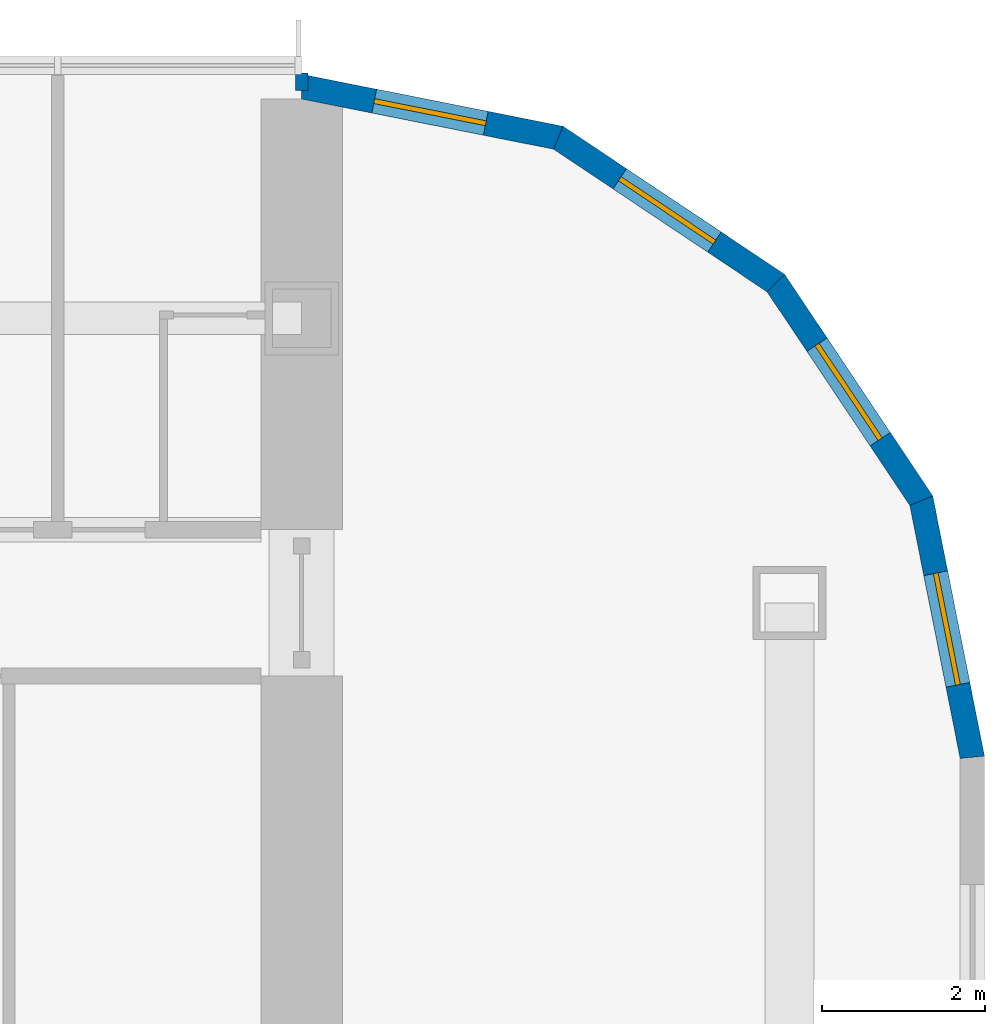
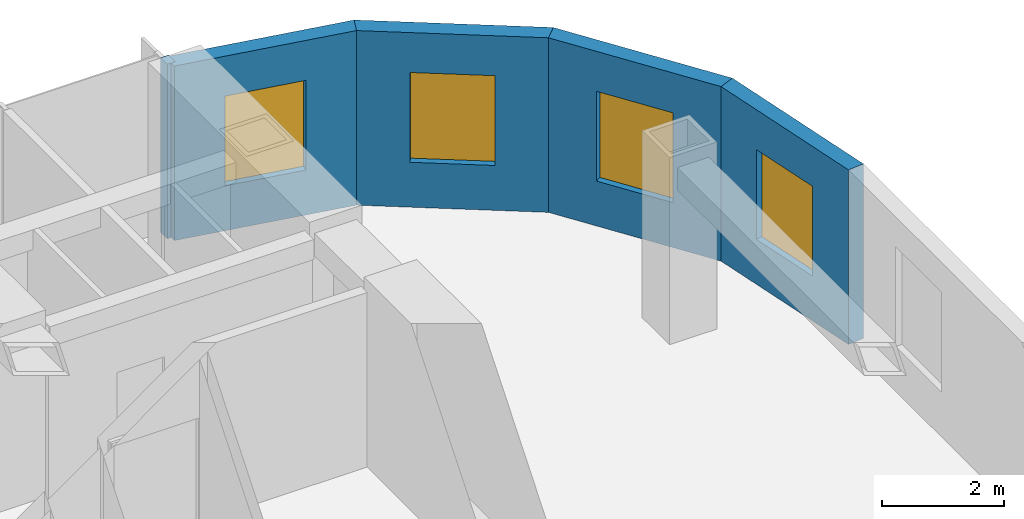
# One storey, part 18 of 23: 5 walls, 4 windows, 4 openings.
"""IFC4 building model written with IfcOpenShell, lengths in metres."""

from ifc_helpers import new_model, si_unit, direction, frame, frame_2d, origin, place, context, subcontext, project, spatial, polyline, rectangle, outline, extrude, material, layer, layer_set, type_object, element, fill, save


model = new_model("IFC4")

# Units and contexts
model_context = context("Model", 3, precision=1e-05, world=origin(), true_north=direction((0.0, 1.0)))
body_context = subcontext(model_context, "Body", "Model", "MODEL_VIEW")
ifc_project = project(units=[si_unit("LENGTHUNIT", "METRE"), si_unit("AREAUNIT", "SQUARE_METRE"), si_unit("VOLUMEUNIT", "CUBIC_METRE"), si_unit("PLANEANGLEUNIT", "RADIAN"), si_unit("MASSUNIT", "GRAM", prefix="KILO")], contexts=[model_context])

# Site, building, storey
site_placement = place(None, origin())
site = spatial("IfcSite", under=ifc_project, at=site_placement, CompositionType="ELEMENT")
building_placement = place(site_placement, origin())
building = spatial("IfcBuilding", under=site, at=building_placement, Name="Orbita Commons", CompositionType="ELEMENT")
storey_placement = place(building_placement, frame((0.0, 0.0, 61.449951171875)))
storey = spatial("IfcBuildingStorey", under=building, at=storey_placement, Name="L15", CompositionType="ELEMENT", Elevation=61.449951171875)

# Wall
ifc_material_1 = material(Name="Gypsum plasterboard on steel studs", Category="steel")
ifc_layer_1 = layer(ifc_material_1, 0.14990234375)
ifc_layer_set_1 = layer_set([ifc_layer_1], Name="Gypsum plasterboard on steel studs")
wall_type_1 = type_object("IfcWallType", Name="Partition 150 plasterboard", PredefinedType="PARTITIONING", material=ifc_layer_set_1)
wall_1_placement = place(storey_placement, frame((72.0, 56.39990234375, 0.0), z_axis=(0.0, 0.0, 1.0), x_axis=(0.0, 1.0, 0.0)))
element("IfcWall", 1, at=wall_1_placement, inside=storey, type_object=wall_type_1, Name="Partition 150 plasterboard L15", PredefinedType="PARTITIONING", context=body_context, shape_type="SweptSolid", body=[
    extrude(rectangle(XDim=0.22021484375, YDim=0.14990234375, at=frame_2d((0.110107421875, 0.0))), origin(), (0.0, 0.0, 1.0), 3.5),
])

# Wall, opening, window
ifc_material_2 = material(Name="Precast concrete C40/50, white board-marked finish", Category="concrete")
ifc_layer_2 = layer(ifc_material_2, 0.300048828125)
ifc_layer_set_2 = layer_set([ifc_layer_2], Name="Precast concrete C40/50, white board-marked finish")
wall_type_2 = type_object("IfcWallType", Name="Precast concrete end shield 300", PredefinedType="SOLIDWALL", material=ifc_layer_set_2)
wall_2_placement = place(storey_placement, frame((80.25, 48.199951171875, 0.0), z_axis=(0.0, 0.0, 1.0), x_axis=(-0.195065901187, 0.980790137692, 0.0)))
wall_2 = element("IfcWall", 2, at=wall_2_placement, inside=storey, type_object=wall_type_2, Name="End shield NE chord 1 L15", PredefinedType="SOLIDWALL", context=body_context, shape_type="SweptSolid", body=[
    extrude(outline(polyline([(-0.014892578125, -0.14990234375), (3.248779296875, -0.14990234375), (3.189208984375, 0.14990234375), (0.014892578125, 0.14990234375), (-0.014892578125, -0.14990234375)])), origin(), (0.0, 0.0, 1.0), 3.5),
])
opening_1_placement = place(wall_2_placement, frame((0.909423828125, 0.0, 0.89990234375)))
opening_1 = element("IfcOpeningElement", 3, at=opening_1_placement, cuts=wall_2, Name="Opening W02", PredefinedType="OPENING", context=body_context, shape_type="SweptSolid", body=[
    extrude(rectangle(XDim=1.39990234375, YDim=1.800048828125, at=frame_2d((0.699951171875, 0.89990234375))), frame((0.0, 0.159912109375, 0.0), z_axis=(0.0, -1.0, 0.0), x_axis=(1.0, 0.0, 0.0)), (0.0, 0.0, 1.0), 0.320068359375),
])
ifc_material_3 = material(Name="Aluminium frame, clear double glazing", Category="aluminium")
window_type = type_object("IfcWindowType", Name="Deep-set window 1400x1800", PartitioningType="SINGLE_PANEL", PredefinedType="WINDOW", material=ifc_material_3)
window_1_placement = place(opening_1_placement, origin())
window_1 = element("IfcWindow", 4, at=window_1_placement, inside=storey, type_object=window_type, Name="Window L15-NE0", OverallHeight=1.800048828125, OverallWidth=1.39990234375, PartitioningType="SINGLE_PANEL", PredefinedType="WINDOW", context=body_context, shape_type="SweptSolid", body=[
    extrude(rectangle(XDim=1.39990234375, YDim=1.800048828125, at=frame_2d((0.699951171875, 0.89990234375))), frame((0.0, 0.030029296875, 0.0), z_axis=(0.0, -1.0, 0.0), x_axis=(1.0, 0.0, 0.0)), (0.0, 0.0, 1.0), 0.06005859375),
])
fill(opening_1, window_1)

wall_3_placement = place(storey_placement, frame((79.6220703125, 51.357177734375, 0.0), z_axis=(0.0, 0.0, 1.0), x_axis=(-0.555609954424, 0.831443069936, 0.0)))
wall_3 = element("IfcWall", 5, at=wall_3_placement, inside=storey, type_object=wall_type_2, Name="End shield NE chord 2 L15", PredefinedType="SOLIDWALL", context=body_context, shape_type="SweptSolid", body=[
    extrude(outline(polyline([(-0.02978515625, -0.14990234375), (3.2490234375, -0.14990234375), (3.189453125, 0.14990234375), (0.02978515625, 0.14990234375), (-0.02978515625, -0.14990234375)])), origin(), (0.0, 0.0, 1.0), 3.5),
])
opening_2_placement = place(wall_3_placement, frame((0.909423828125, 0.0, 0.89990234375)))
opening_2 = element("IfcOpeningElement", 6, at=opening_2_placement, cuts=wall_3, Name="Opening W02", PredefinedType="OPENING", context=body_context, shape_type="SweptSolid", body=[
    extrude(rectangle(XDim=1.39990234375, YDim=1.800048828125, at=frame_2d((0.699951171875, 0.89990234375))), frame((0.0, 0.159912109375, 0.0), z_axis=(0.0, -1.0, 0.0), x_axis=(1.0, 0.0, 0.0)), (0.0, 0.0, 1.0), 0.320068359375),
])
window_2_placement = place(opening_2_placement, origin())
window_2 = element("IfcWindow", 7, at=window_2_placement, inside=storey, type_object=window_type, Name="Window L15-NE1", OverallHeight=1.800048828125, OverallWidth=1.39990234375, PartitioningType="SINGLE_PANEL", PredefinedType="WINDOW", context=body_context, shape_type="SweptSolid", body=[
    extrude(rectangle(XDim=1.39990234375, YDim=1.800048828125, at=frame_2d((0.699951171875, 0.89990234375))), frame((0.0, 0.030029296875, 0.0), z_axis=(0.0, -1.0, 0.0), x_axis=(1.0, 0.0, 0.0)), (0.0, 0.0, 1.0), 0.06005859375),
])
fill(opening_2, window_2)

wall_4_placement = place(storey_placement, frame((77.83349609375, 54.03369140625, 0.0), z_axis=(0.0, 0.0, 1.0), x_axis=(-0.831478105043, 0.555557522525, 0.0)))
wall_4 = element("IfcWall", 8, at=wall_4_placement, inside=storey, type_object=wall_type_2, Name="End shield NE chord 3 L15", PredefinedType="SOLIDWALL", context=body_context, shape_type="SweptSolid", body=[
    extrude(outline(polyline([(-0.02978515625, -0.14990234375), (3.248779296875, -0.14990234375), (3.189208984375, 0.14990234375), (0.02978515625, 0.14990234375), (-0.02978515625, -0.14990234375)])), origin(), (0.0, 0.0, 1.0), 3.5),
])
opening_3_placement = place(wall_4_placement, frame((0.909423828125, 0.0, 0.89990234375)))
opening_3 = element("IfcOpeningElement", 9, at=opening_3_placement, cuts=wall_4, Name="Opening W02", PredefinedType="OPENING", context=body_context, shape_type="SweptSolid", body=[
    extrude(rectangle(XDim=1.39990234375, YDim=1.800048828125, at=frame_2d((0.699951171875, 0.89990234375))), frame((0.0, 0.159912109375, 0.0), z_axis=(0.0, -1.0, 0.0), x_axis=(1.0, 0.0, 0.0)), (0.0, 0.0, 1.0), 0.320068359375),
])
window_3_placement = place(opening_3_placement, origin())
window_3 = element("IfcWindow", 10, at=window_3_placement, inside=storey, type_object=window_type, Name="Window L15-NE2", OverallHeight=1.800048828125, OverallWidth=1.39990234375, PartitioningType="SINGLE_PANEL", PredefinedType="WINDOW", context=body_context, shape_type="SweptSolid", body=[
    extrude(rectangle(XDim=1.39990234375, YDim=1.800048828125, at=frame_2d((0.699951171875, 0.89990234375))), frame((0.0, 0.030029296875, 0.0), z_axis=(0.0, -1.0, 0.0), x_axis=(1.0, 0.0, 0.0)), (0.0, 0.0, 1.0), 0.06005859375),
])
fill(opening_3, window_3)

wall_5_placement = place(storey_placement, frame((75.156982421875, 55.822021484375, 0.0), z_axis=(0.0, 0.0, 1.0), x_axis=(-0.980787251524, 0.195080412259, 0.0)))
wall_5 = element("IfcWall", 11, at=wall_5_placement, inside=storey, type_object=wall_type_2, Name="End shield NE chord 4 L15", PredefinedType="SOLIDWALL", context=body_context, shape_type="SweptSolid", body=[
    extrude(outline(polyline([(-0.02978515625, -0.14990234375), (3.24853515625, -0.14990234375), (3.18896484375, 0.14990234375), (0.02978515625, 0.14990234375), (-0.02978515625, -0.14990234375)])), origin(), (0.0, 0.0, 1.0), 3.5),
])
opening_4_placement = place(wall_5_placement, frame((0.909423828125, 0.0, 0.89990234375)))
opening_4 = element("IfcOpeningElement", 12, at=opening_4_placement, cuts=wall_5, Name="Opening W02", PredefinedType="OPENING", context=body_context, shape_type="SweptSolid", body=[
    extrude(rectangle(XDim=1.39990234375, YDim=1.800048828125, at=frame_2d((0.699951171875, 0.89990234375))), frame((0.0, 0.159912109375, 0.0), z_axis=(0.0, -1.0, 0.0), x_axis=(1.0, 0.0, 0.0)), (0.0, 0.0, 1.0), 0.320068359375),
])
window_4_placement = place(opening_4_placement, origin())
window_4 = element("IfcWindow", 13, at=window_4_placement, inside=storey, type_object=window_type, Name="Window L15-NE3", OverallHeight=1.800048828125, OverallWidth=1.39990234375, PartitioningType="SINGLE_PANEL", PredefinedType="WINDOW", context=body_context, shape_type="SweptSolid", body=[
    extrude(rectangle(XDim=1.39990234375, YDim=1.800048828125, at=frame_2d((0.699951171875, 0.89990234375))), frame((0.0, 0.030029296875, 0.0), z_axis=(0.0, -1.0, 0.0), x_axis=(1.0, 0.0, 0.0)), (0.0, 0.0, 1.0), 0.06005859375),
])
fill(opening_4, window_4)

save(model, "model.ifc")
